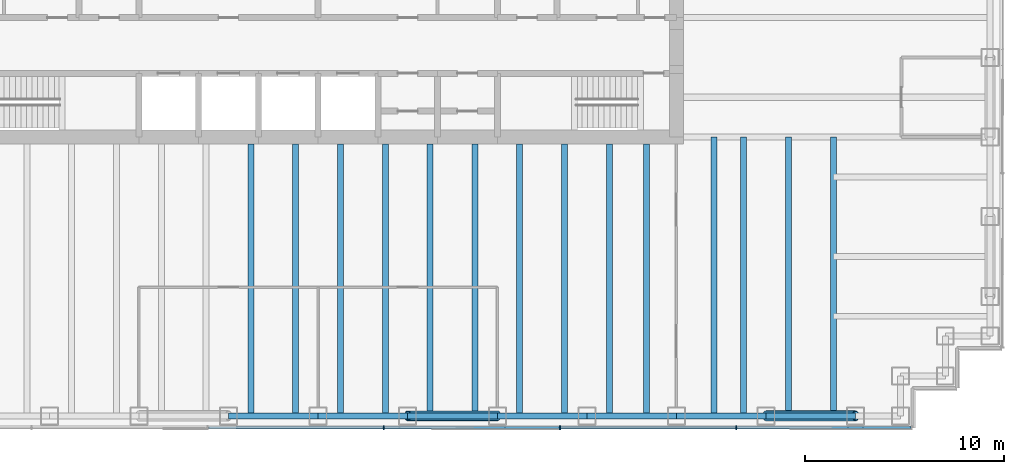
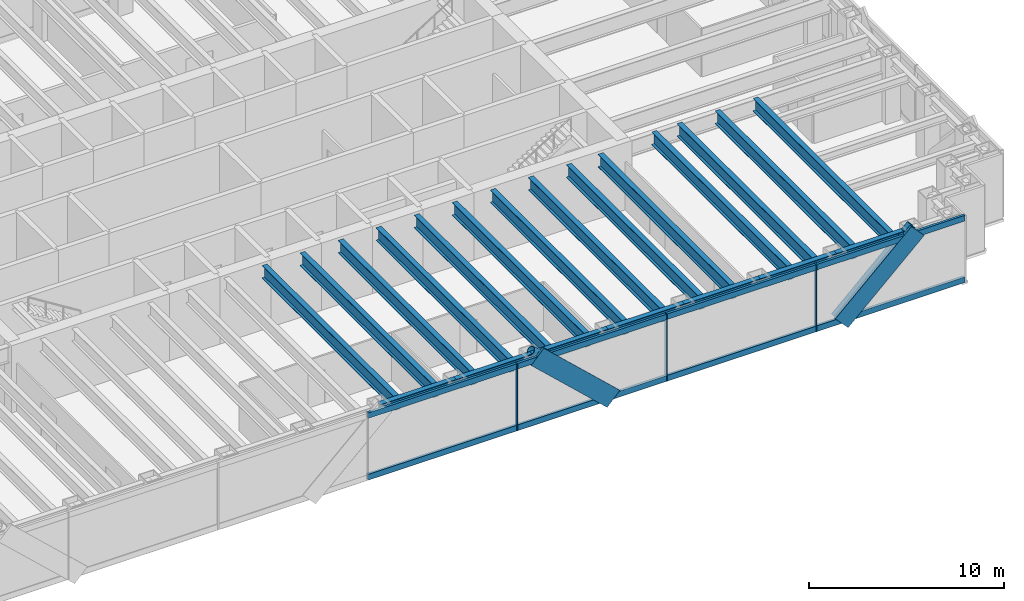
# One storey, part 4 of 15: 21 beams, 15 members, 1 element without a shape of its own.
"""IFC4 building model written with IfcOpenShell, lengths in metres."""

import ifcopenshell
import ifcopenshell.guid

model = None  # the IFC model being written
_history = None  # IfcOwnerHistory: only IFC2X3 demands one
_inside = {}  # id of a spatial element -> (the spatial element, [elements in it])
_under = {}  # id of a project, library or spatial element -> (it, [spatial elements below it])
_declared = {}  # id of a project -> (the project, [libraries it declares])
_typed = {}  # id of a type object -> (the type object, [elements of that type])
_made_of = {}  # id of a material, layer set ... -> (it, [elements and type objects made of it])


def new_model(schema):
    """Start an empty IFC model of exactly this schema.

    Asked for "IFC4X3", IfcOpenShell would pick the latest addendum, in which some entities
    have other attributes; the version numbers below select the first issue.
    IFC2X3 requires an IfcOwnerHistory on every rooted entity: one is made here for all.
    """
    global model, _history
    if schema == "IFC4X3":
        model = ifcopenshell.file(schema_version=(4, 3, 0, 0))
    else:
        model = ifcopenshell.file(schema=schema)
    _inside.clear()
    _under.clear()
    _declared.clear()
    _typed.clear()
    _made_of.clear()
    _history = None
    if model.schema == "IFC2X3":
        org = make("IfcOrganization", Name="unknown")
        user = make(
            "IfcPersonAndOrganization",
            ThePerson=make("IfcPerson", FamilyName="unknown"),
            TheOrganization=org,
        )
        app = make(
            "IfcApplication",
            ApplicationDeveloper=org,
            Version="unknown",
            ApplicationFullName="unknown",
            ApplicationIdentifier="unknown",
        )
        _history = make(
            "IfcOwnerHistory",
            OwningUser=user,
            OwningApplication=app,
            ChangeAction="ADDED",
            CreationDate=0,
        )
    return model


def make(cls, **values):
    """One entity of the class cls with the attributes given. An attribute that is None is left unset."""
    return model.create_entity(
        cls, **{name: value for name, value in values.items() if value is not None}
    )


def rooted(cls, **values):
    """An entity with a GlobalId (a new one), such as an element, a storey or a relation."""
    return make(cls, GlobalId=ifcopenshell.guid.new(), OwnerHistory=_history, **values)


def si_unit(unit_type, name, prefix=None):
    """IfcSIUnit, for example si_unit("LENGTHUNIT", "METRE", prefix="MILLI")."""
    return make("IfcSIUnit", UnitType=unit_type, Prefix=prefix, Name=name)


def assignment(units):
    """IfcUnitAssignment: the units of a project."""
    return None if units is None else make("IfcUnitAssignment", Units=units)


def point(xyz):
    """IfcCartesianPoint."""
    return None if xyz is None else make("IfcCartesianPoint", Coordinates=xyz)


def direction(xyz):
    """IfcDirection."""
    return None if xyz is None else make("IfcDirection", DirectionRatios=xyz)


def frame(location, z_axis=None, x_axis=None):
    """IfcAxis2Placement3D, a coordinate frame: its origin and axes. An axis left out is left unset."""
    return make(
        "IfcAxis2Placement3D",
        Location=point(location),
        Axis=direction(z_axis),
        RefDirection=direction(x_axis),
    )


def frame_2d(location, x_axis=None):
    """IfcAxis2Placement2D, a coordinate frame in the plane: its origin and x axis."""
    return make(
        "IfcAxis2Placement2D", Location=point(location), RefDirection=direction(x_axis)
    )


def origin():
    """The frame at (0, 0, 0) with its axes left unset."""
    return frame((0.0, 0.0, 0.0))


def origin_2d():
    """The frame at (0, 0) in the plane with its x axis left unset."""
    return frame_2d((0.0, 0.0))


def place(relative_to, where):
    """IfcLocalPlacement: puts the frame where relative to a parent placement (None: the world)."""
    return make(
        "IfcLocalPlacement", PlacementRelTo=relative_to, RelativePlacement=where
    )


def context(
    kind, dimensions, precision=None, world=None, true_north=None, identifier=None
):
    """IfcGeometricRepresentationContext, for example the 3D "Model" context."""
    return make(
        "IfcGeometricRepresentationContext",
        ContextIdentifier=identifier,
        ContextType=kind,
        CoordinateSpaceDimension=dimensions,
        Precision=precision,
        WorldCoordinateSystem=world,
        TrueNorth=true_north,
    )


def subcontext(parent, identifier, kind, view, scale=None):
    """IfcGeometricRepresentationSubContext, for example "Body" below "Model"."""
    return make(
        "IfcGeometricRepresentationSubContext",
        ContextIdentifier=identifier,
        ContextType=kind,
        ParentContext=parent,
        TargetScale=scale,
        TargetView=view,
    )


def project(units=None, contexts=None):
    """IfcProject with its units and contexts."""
    return rooted(
        "IfcProject",
        Name="project",
        RepresentationContexts=contexts,
        UnitsInContext=assignment(units),
    )


def spatial(cls, under=None, at=None, **own):
    """A site, building, storey or space (cls), placed at a placement, below another one or the project."""
    s = rooted(cls, ObjectPlacement=at, **own)
    if under is not None:
        _under.setdefault(under.id(), (under, []))[1].append(s)
    return s


def profile(cls, at=None, kind="AREA", **sizes):
    """A parametric profile (cls). Its sizes go by their IFC names, for example OverallWidth=200.0."""
    return make(cls, ProfileType=kind, Position=at, **sizes)


def rectangle(**sizes):
    """IfcRectangleProfileDef."""
    return profile("IfcRectangleProfileDef", **sizes)


def hollow_circle(**sizes):
    """IfcCircleHollowProfileDef."""
    return profile("IfcCircleHollowProfileDef", **sizes)


def i_section(**sizes):
    """IfcIShapeProfileDef."""
    return profile("IfcIShapeProfileDef", **sizes)


def extrude(swept, where, along, depth):
    """IfcExtrudedAreaSolid: the profile swept, set in the frame where, extruded along a direction by depth."""
    return make(
        "IfcExtrudedAreaSolid",
        SweptArea=swept,
        Position=where,
        ExtrudedDirection=direction(along),
        Depth=depth,
    )


def shape(context_of_items, identifier, shape_type, items):
    """IfcShapeRepresentation: the items that make up one representation, for example the "Body"."""
    return make(
        "IfcShapeRepresentation",
        ContextOfItems=context_of_items,
        RepresentationIdentifier=identifier,
        RepresentationType=shape_type,
        Items=items,
    )


def material(Name=None, Category=None):
    """IfcMaterial."""
    return make("IfcMaterial", Name=Name, Category=Category)


def material_profile(
    of_material, cross_section, Name=None, Category=None, Priority=None
):
    """IfcMaterialProfile: a cross section and its material."""
    return make(
        "IfcMaterialProfile",
        Name=Name,
        Material=of_material,
        Profile=cross_section,
        Priority=Priority,
        Category=Category,
    )


def profile_set(profiles, Name=None, composite=None):
    """IfcMaterialProfileSet."""
    return make(
        "IfcMaterialProfileSet",
        Name=Name,
        MaterialProfiles=profiles,
        CompositeProfile=composite,
    )


def made_of(thing, what):
    """Note that an element or type object is made of a material, layer set ...; save() writes the relation."""
    if what is not None:
        _made_of.setdefault(what.id(), (what, []))[1].append(thing)
    return thing


def type_object(cls, material=None, **own):
    """A type object (cls), such as IfcWallType, which elements share."""
    return made_of(rooted(cls, **own), material)


def element(
    cls,
    number,
    at=None,
    inside=None,
    cuts=None,
    type_object=None,
    material=None,
    context=None,
    identifier="Body",
    shape_type=None,
    held_by="IfcProductDefinitionShape",
    body=None,
    shapes=None,
    **own,
):
    """One element of the class cls, such as IfcWall. Its Tag is "e" and its number.

    at: its placement. inside: the storey or other place that contains it. cuts: it is an
    opening in that element (IfcRelVoidsElement). A single representation is given by context,
    identifier, shape_type and body (its items); several are given by shapes. held_by: the class
    of the entity that holds the representations. save() writes the other relations.
    """
    e = rooted(cls, Tag="e%d" % number, ObjectPlacement=at, **own)
    if body is not None:
        shapes = [shape(context, identifier, shape_type, body)]
    if shapes is not None:
        e.Representation = make(held_by, Representations=shapes)
    if inside is not None:
        _inside.setdefault(inside.id(), (inside, []))[1].append(e)
    if cuts is not None:
        rooted(
            "IfcRelVoidsElement", RelatingBuildingElement=cuts, RelatedOpeningElement=e
        )
    if type_object is not None:
        _typed.setdefault(type_object.id(), (type_object, []))[1].append(e)
    return made_of(e, material)


def aggregate(whole, parts):
    """IfcRelAggregates: a whole, such as a stair, and the parts it consists of."""
    return rooted("IfcRelAggregates", RelatingObject=whole, RelatedObjects=parts)


def save(model, path):
    """Write the relations noted so far, then the file.

    IfcRelAggregates (storeys below a building ...), IfcRelContainedInSpatialStructure (elements
    in a storey), IfcRelDefinesByType, IfcRelAssociatesMaterial and IfcRelDeclares: one each for
    every whole, place, type object, material and project.
    """
    for whole, parts in _under.values():
        aggregate(whole, parts)
    for where, things in _inside.values():
        rooted(
            "IfcRelContainedInSpatialStructure",
            RelatedElements=things,
            RelatingStructure=where,
        )
    for kind, things in _typed.values():
        rooted("IfcRelDefinesByType", RelatedObjects=things, RelatingType=kind)
    for what, things in _made_of.values():
        rooted("IfcRelAssociatesMaterial", RelatedObjects=things, RelatingMaterial=what)
    for by, libraries in _declared.values():
        rooted("IfcRelDeclares", RelatingContext=by, RelatedDefinitions=libraries)
    model.write(path)


model = new_model("IFC4")

# Units and contexts
model_context = context("Model", 3, precision=1e-05, world=origin(), true_north=direction((0.0, 1.0)))
body_context = subcontext(model_context, "Body", "Model", "MODEL_VIEW")
ifc_project = project(units=[si_unit("LENGTHUNIT", "METRE"), si_unit("AREAUNIT", "SQUARE_METRE"), si_unit("VOLUMEUNIT", "CUBIC_METRE"), si_unit("PLANEANGLEUNIT", "RADIAN"), si_unit("MASSUNIT", "GRAM", prefix="KILO")], contexts=[model_context])

# Site, building, storey
site_placement = place(None, origin())
site = spatial("IfcSite", under=ifc_project, at=site_placement, CompositionType="ELEMENT")
building_placement = place(site_placement, origin())
building = spatial("IfcBuilding", under=site, at=building_placement, Name="Rheinbord Bourse Tower", CompositionType="ELEMENT")
storey_placement = place(building_placement, frame((0.0, 0.0, 325.699951171875)))
storey = spatial("IfcBuildingStorey", under=building, at=storey_placement, Name="L74", CompositionType="ELEMENT", Elevation=325.699951171875)

# Curtain wall, members
ifc_material_1 = material(Name="Dark glass and black aluminium", Category="aluminium")
curtain_wall_type = type_object("IfcCurtainWallType", Name="CW3 DARK GLASS CURTAIN WALL", PredefinedType="USERDEFINED", material=ifc_material_1)
curtain_wall_placement = place(storey_placement, origin())
curtain_wall = element("IfcCurtainWall", 1, at=curtain_wall_placement, inside=storey, type_object=curtain_wall_type, Name="Curtain wall CW3 S L74", ObjectType="UNITISED CURTAIN WALL", PredefinedType="USERDEFINED")
ifc_material_2 = material(Name="Black anodised aluminium", Category="aluminium")
ifc_material_profile_1 = material_profile(ifc_material_2, rectangle(XDim=0.14990234375, YDim=1.10791015625, at=origin_2d()), Name="CW3 DIAGONAL MULLION 1108x150")
ifc_profile_set_1 = profile_set([ifc_material_profile_1], Name="Black anodised aluminium")
member_type_1 = type_object("IfcMemberType", Name="CW3 BLACK DIAGONAL MULLION", PredefinedType="USERDEFINED", material=ifc_profile_set_1)
member_1_placement = place(storey_placement, frame((45.0, 1.39990234375, 0.0), z_axis=(-0.73105922506, 0.0, 0.682314010889), x_axis=(0.0, -1.0, 0.0)))
member_1 = element("IfcMember", 2, at=member_1_placement, type_object=member_type_1, Name="CW3 diagonal mullion a", ObjectType="DIAGONAL MULLION", PredefinedType="USERDEFINED", context=body_context, shape_type="SweptSolid", body=[
    extrude(rectangle(XDim=0.14990234375, YDim=1.10791015625, at=origin_2d()), origin(), (0.0, 0.0, 1.0), 6.155517578125),
])
member_2_placement = place(storey_placement, frame((58.5, 1.39990234375, 0.0), z_axis=(0.73105922506, 0.0, 0.682314010889), x_axis=(0.0, 1.0, 0.0)))
member_2 = element("IfcMember", 3, at=member_2_placement, type_object=member_type_1, Name="CW3 diagonal mullion d", ObjectType="DIAGONAL MULLION", PredefinedType="USERDEFINED", context=body_context, shape_type="SweptSolid", body=[
    extrude(rectangle(XDim=0.14990234375, YDim=1.10791015625, at=origin_2d()), origin(), (0.0, 0.0, 1.0), 6.155517578125),
])
ifc_material_3 = material(Name="Black anodised aluminium", Category="aluminium")
ifc_material_profile_2 = material_profile(ifc_material_3, rectangle(XDim=0.199951171875, YDim=0.06494140625, at=origin_2d()), Name="CW3 MULLION 65x200")
ifc_profile_set_2 = profile_set([ifc_material_profile_2], Name="Black anodised aluminium")
member_type_2 = type_object("IfcMemberType", Name="CW3 BLACK MULLION", PredefinedType="MULLION", material=ifc_profile_set_2)
member_3_placement = place(storey_placement, frame((39.300048828125, 1.39990234375, 0.0), z_axis=(0.0, 0.0, 1.0), x_axis=(0.0, 1.0, 0.0)))
member_3 = element("IfcMember", 4, at=member_3_placement, type_object=member_type_2, Name="CW3 mullion 5", PredefinedType="MULLION", context=body_context, shape_type="SweptSolid", body=[
    extrude(rectangle(XDim=0.199951171875, YDim=0.06494140625, at=origin_2d()), origin(), (0.0, 0.0, 1.0), 4.199951171875),
])
member_4_placement = place(storey_placement, frame((48.14990234375, 1.39990234375, 0.0), z_axis=(0.0, 0.0, 1.0), x_axis=(0.0, 1.0, 0.0)))
member_4 = element("IfcMember", 5, at=member_4_placement, type_object=member_type_2, Name="CW3 mullion 6", PredefinedType="MULLION", context=body_context, shape_type="SweptSolid", body=[
    extrude(rectangle(XDim=0.199951171875, YDim=0.06494140625, at=origin_2d()), origin(), (0.0, 0.0, 1.0), 4.199951171875),
])
member_5_placement = place(storey_placement, frame((57.0, 1.39990234375, 0.0), z_axis=(0.0, 0.0, 1.0), x_axis=(0.0, 1.0, 0.0)))
member_5 = element("IfcMember", 6, at=member_5_placement, type_object=member_type_2, Name="CW3 mullion 7", PredefinedType="MULLION", context=body_context, shape_type="SweptSolid", body=[
    extrude(rectangle(XDim=0.199951171875, YDim=0.06494140625, at=origin_2d()), origin(), (0.0, 0.0, 1.0), 4.199951171875),
])
ifc_material_4 = material(Name="Black anodised aluminium", Category="aluminium")
ifc_material_profile_3 = material_profile(ifc_material_4, rectangle(XDim=0.14990234375, YDim=0.35009765625, at=origin_2d()), Name="CW3 TRANSOM 350x150")
ifc_profile_set_3 = profile_set([ifc_material_profile_3], Name="Black anodised aluminium")
member_type_3 = type_object("IfcMemberType", Name="CW3 BLACK TRANSOM", PredefinedType="USERDEFINED", material=ifc_profile_set_3)
member_6_placement = place(storey_placement, frame((30.482421875, 1.39990234375, 0.175048828125), z_axis=(1.0, 0.0, 0.0), x_axis=(0.0, 1.0, 0.0)))
member_6 = element("IfcMember", 7, at=member_6_placement, type_object=member_type_3, Name="CW3 transom 4.1", ObjectType="TRANSOM", PredefinedType="USERDEFINED", context=body_context, shape_type="SweptSolid", body=[
    extrude(rectangle(XDim=0.14990234375, YDim=0.35009765625, at=origin_2d()), origin(), (0.0, 0.0, 1.0), 8.78515625),
])
member_7_placement = place(storey_placement, frame((30.482421875, 1.39990234375, 4.025146484375), z_axis=(1.0, 0.0, 0.0), x_axis=(0.0, 1.0, 0.0)))
member_7 = element("IfcMember", 8, at=member_7_placement, type_object=member_type_3, Name="CW3 transom 4.2", ObjectType="TRANSOM", PredefinedType="USERDEFINED", context=body_context, shape_type="SweptSolid", body=[
    extrude(rectangle(XDim=0.14990234375, YDim=0.35009765625, at=origin_2d()), origin(), (0.0, 0.0, 1.0), 8.78515625),
])
member_8_placement = place(storey_placement, frame((39.33251953125, 1.39990234375, 0.175048828125), z_axis=(1.0, 0.0, 0.0), x_axis=(0.0, 1.0, 0.0)))
member_8 = element("IfcMember", 9, at=member_8_placement, type_object=member_type_3, Name="CW3 transom 5.1", ObjectType="TRANSOM", PredefinedType="USERDEFINED", context=body_context, shape_type="SweptSolid", body=[
    extrude(rectangle(XDim=0.14990234375, YDim=0.35009765625, at=origin_2d()), origin(), (0.0, 0.0, 1.0), 8.784912109375),
])
member_9_placement = place(storey_placement, frame((39.33251953125, 1.39990234375, 4.025146484375), z_axis=(1.0, 0.0, 0.0), x_axis=(0.0, 1.0, 0.0)))
member_9 = element("IfcMember", 10, at=member_9_placement, type_object=member_type_3, Name="CW3 transom 5.2", ObjectType="TRANSOM", PredefinedType="USERDEFINED", context=body_context, shape_type="SweptSolid", body=[
    extrude(rectangle(XDim=0.14990234375, YDim=0.35009765625, at=origin_2d()), origin(), (0.0, 0.0, 1.0), 8.784912109375),
])
member_10_placement = place(storey_placement, frame((48.1826171875, 1.39990234375, 0.175048828125), z_axis=(1.0, 0.0, 0.0), x_axis=(0.0, 1.0, 0.0)))
member_10 = element("IfcMember", 11, at=member_10_placement, type_object=member_type_3, Name="CW3 transom 6.1", ObjectType="TRANSOM", PredefinedType="USERDEFINED", context=body_context, shape_type="SweptSolid", body=[
    extrude(rectangle(XDim=0.14990234375, YDim=0.35009765625, at=origin_2d()), origin(), (0.0, 0.0, 1.0), 8.784912109375),
])
member_11_placement = place(storey_placement, frame((48.1826171875, 1.39990234375, 4.025146484375), z_axis=(1.0, 0.0, 0.0), x_axis=(0.0, 1.0, 0.0)))
member_11 = element("IfcMember", 12, at=member_11_placement, type_object=member_type_3, Name="CW3 transom 6.2", ObjectType="TRANSOM", PredefinedType="USERDEFINED", context=body_context, shape_type="SweptSolid", body=[
    extrude(rectangle(XDim=0.14990234375, YDim=0.35009765625, at=origin_2d()), origin(), (0.0, 0.0, 1.0), 8.784912109375),
])
member_12_placement = place(storey_placement, frame((57.032470703125, 1.39990234375, 0.175048828125), z_axis=(1.0, 0.0, 0.0), x_axis=(0.0, 1.0, 0.0)))
member_12 = element("IfcMember", 13, at=member_12_placement, type_object=member_type_3, Name="CW3 transom 7.1", ObjectType="TRANSOM", PredefinedType="USERDEFINED", context=body_context, shape_type="SweptSolid", body=[
    extrude(rectangle(XDim=0.14990234375, YDim=0.35009765625, at=origin_2d()), origin(), (0.0, 0.0, 1.0), 8.75244140625),
])
member_13_placement = place(storey_placement, frame((57.032470703125, 1.39990234375, 4.025146484375), z_axis=(1.0, 0.0, 0.0), x_axis=(0.0, 1.0, 0.0)))
member_13 = element("IfcMember", 14, at=member_13_placement, type_object=member_type_3, Name="CW3 transom 7.2", ObjectType="TRANSOM", PredefinedType="USERDEFINED", context=body_context, shape_type="SweptSolid", body=[
    extrude(rectangle(XDim=0.14990234375, YDim=0.35009765625, at=origin_2d()), origin(), (0.0, 0.0, 1.0), 8.75244140625),
])
aggregate(curtain_wall, [member_3, member_4, member_5, member_6, member_7, member_8, member_9, member_10, member_11, member_12, member_13, member_1, member_2])

# Beams
ifc_material_5 = material(Name="Steel S460", Category="steel")
ifc_material_profile_4 = material_profile(ifc_material_5, i_section(OverallWidth=0.300048828125, OverallDepth=0.800048828125, WebThickness=0.017578125, FlangeThickness=0.032958984375, at=origin_2d()), Name="HEB 800")
ifc_profile_set_4 = profile_set([ifc_material_profile_4], Name="Steel S460")
beam_type_1 = type_object("IfcBeamType", Name="FLOOR BEAM HEB 800", PredefinedType="BEAM", material=ifc_profile_set_4)
for number, where, z_axis, x_axis, name in (
    (15, (32.625, 2.0, 3.64013671875), (0.0, 1.0, 0.0), (-1.0, 0.0, 0.0), "Floor beam S-31.5a L75"),
    (16, (34.875, 2.0, 3.64013671875), (0.0, 1.0, 0.0), (-1.0, 0.0, 0.0), "Floor beam S-31.5b L75"),
    (17, (37.125, 2.0, 3.64013671875), (0.0, 1.0, 0.0), (-1.0, 0.0, 0.0), "Floor beam S-36a L75"),
    (18, (39.375, 2.0, 3.64013671875), (0.0, 1.0, 0.0), (-1.0, 0.0, 0.0), "Floor beam S-36b L75"),
    (19, (41.625, 2.0, 3.64013671875), (0.0, 1.0, 0.0), (-1.0, 0.0, 0.0), "Floor beam S-40.5a L75"),
    (20, (43.875, 2.0, 3.64013671875), (0.0, 1.0, 0.0), (-1.0, 0.0, 0.0), "Floor beam S-40.5b L75"),
    (21, (46.125, 2.0, 3.64013671875), (0.0, 1.0, 0.0), (-1.0, 0.0, 0.0), "Floor beam S-45a L75"),
    (22, (48.375, 2.0, 3.64013671875), (0.0, 1.0, 0.0), (-1.0, 0.0, 0.0), "Floor beam S-45b L75"),
    (23, (50.625, 2.0, 3.64013671875), (0.0, 1.0, 0.0), (-1.0, 0.0, 0.0), "Floor beam S-49.5a L75"),
    (24, (52.5, 2.0, 3.64013671875), (0.0, 1.0, 0.0), (-1.0, 0.0, 0.0), "Floor beam S-49.5b L75"),
):
    element("IfcBeam", number, at=place(storey_placement, frame(where, z_axis=z_axis, x_axis=x_axis)), inside=storey, type_object=beam_type_1, Name=name, PredefinedType="BEAM", context=body_context, shape_type="SweptSolid", body=[
        extrude(i_section(OverallWidth=0.300048828125, OverallDepth=0.800048828125, WebThickness=0.017578125, FlangeThickness=0.032958984375, at=origin_2d()), origin(), (0.0, 0.0, 1.0), 13.64990234375),
    ])
for number, where, z_axis, x_axis, name in (
    (25, (55.875, 2.0, 3.64013671875), (0.0, 1.0, 0.0), (-1.0, 0.0, 0.0), "Floor beam S-54a L75"),
    (26, (57.375, 2.0, 3.64013671875), (0.0, 1.0, 0.0), (-1.0, 0.0, 0.0), "Floor beam S-54b L75"),
    (27, (59.625, 2.0, 3.64013671875), (0.0, 1.0, 0.0), (-1.0, 0.0, 0.0), "Floor beam S-58.5a L75"),
    (28, (61.875, 2.0, 3.64013671875), (0.0, 1.0, 0.0), (-1.0, 0.0, 0.0), "Floor beam S-58.5b L75"),
):
    element("IfcBeam", number, at=place(storey_placement, frame(where, z_axis=z_axis, x_axis=x_axis)), inside=storey, type_object=beam_type_1, Name=name, PredefinedType="BEAM", context=body_context, shape_type="SweptSolid", body=[
        extrude(i_section(OverallWidth=0.300048828125, OverallDepth=0.800048828125, WebThickness=0.017578125, FlangeThickness=0.032958984375, at=origin_2d()), origin(), (0.0, 0.0, 1.0), 14.0),
    ])

# Members
ifc_material_6 = material(Name="Steel S460", Category="steel")
ifc_material_profile_5 = material_profile(ifc_material_6, hollow_circle(Radius=0.25390625, WallThickness=0.030029296875, at=origin_2d()), Name="CHS 508x30")
ifc_profile_set_5 = profile_set([ifc_material_profile_5], Name="Steel S460")
member_type_4 = type_object("IfcMemberType", Name="MEGABRACE CHS 508x30", PredefinedType="BRACE", material=ifc_profile_set_5)
for number, where, z_axis, x_axis, name in (
    (29, (45.0, 2.0, 0.0), (-0.73105922506, 0.0, 0.682314010889), (0.0, -1.0, 0.0), "Megabrace S face line a L74"),
    (30, (58.5, 2.0, 0.0), (0.73105922506, 0.0, 0.682314010889), (0.0, 1.0, 0.0), "Megabrace S face line d L74"),
):
    element("IfcMember", number, at=place(storey_placement, frame(where, z_axis=z_axis, x_axis=x_axis)), inside=storey, type_object=member_type_4, Name=name, PredefinedType="BRACE", context=body_context, shape_type="SweptSolid", body=[
        extrude(hollow_circle(Radius=0.25390625, WallThickness=0.030029296875, at=origin_2d()), origin(), (0.0, 0.0, 1.0), 6.155517578125),
    ])

# Beams
ifc_material_7 = material(Name="Steel S460", Category="steel")
ifc_material_profile_6 = material_profile(ifc_material_7, i_section(OverallWidth=0.300048828125, OverallDepth=0.550048828125, WebThickness=0.014892578125, FlangeThickness=0.029052734375, at=origin_2d()), Name="HEB 550")
ifc_profile_set_6 = profile_set([ifc_material_profile_6], Name="Steel S460")
beam_type_2 = type_object("IfcBeamType", Name="SPANDREL HEB 550", PredefinedType="SPANDREL", material=ifc_profile_set_6)
for number, where, z_axis, x_axis, name in (
    (31, (31.5, 2.0, 3.76513671875), (1.0, 0.0, 0.0), (0.0, 1.0, 0.0), "Spandrel S-31.5-S-36 under L75"),
    (32, (36.0, 2.0, 3.76513671875), (1.0, 0.0, 0.0), (0.0, 1.0, 0.0), "Spandrel S-36-S-40.5 under L75"),
    (33, (40.5, 2.0, 3.76513671875), (1.0, 0.0, 0.0), (0.0, 1.0, 0.0), "Spandrel S-40.5-S-45 under L75"),
    (34, (45.0, 2.0, 3.76513671875), (1.0, 0.0, 0.0), (0.0, 1.0, 0.0), "Spandrel S-45-S-49.5 under L75"),
    (35, (49.5, 2.0, 3.76513671875), (1.0, 0.0, 0.0), (0.0, 1.0, 0.0), "Spandrel S-49.5-S-54 under L75"),
    (36, (54.0, 2.0, 3.76513671875), (1.0, 0.0, 0.0), (0.0, 1.0, 0.0), "Spandrel S-54-S-58.5 under L75"),
    (37, (58.5, 2.0, 3.76513671875), (1.0, 0.0, 0.0), (0.0, 1.0, 0.0), "Spandrel S-58.5-S-63 under L75"),
):
    element("IfcBeam", number, at=place(storey_placement, frame(where, z_axis=z_axis, x_axis=x_axis)), inside=storey, type_object=beam_type_2, Name=name, PredefinedType="SPANDREL", context=body_context, shape_type="SweptSolid", body=[
        extrude(i_section(OverallWidth=0.300048828125, OverallDepth=0.550048828125, WebThickness=0.014892578125, FlangeThickness=0.029052734375, at=origin_2d()), origin(), (0.0, 0.0, 1.0), 4.5),
    ])

save(model, "model.ifc")
